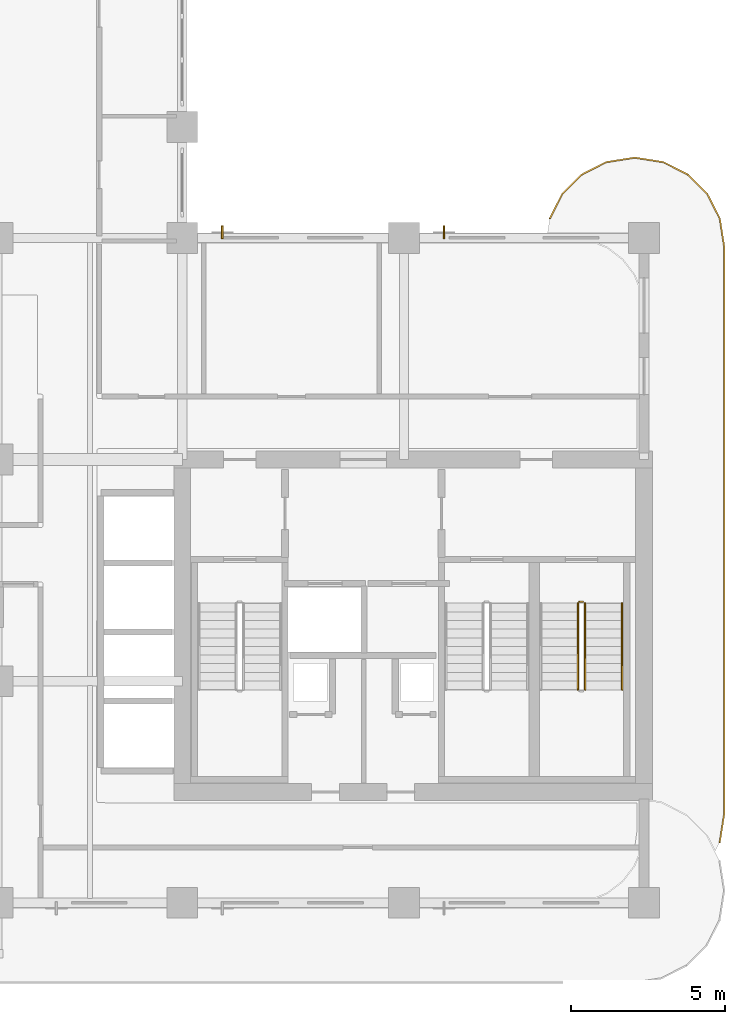
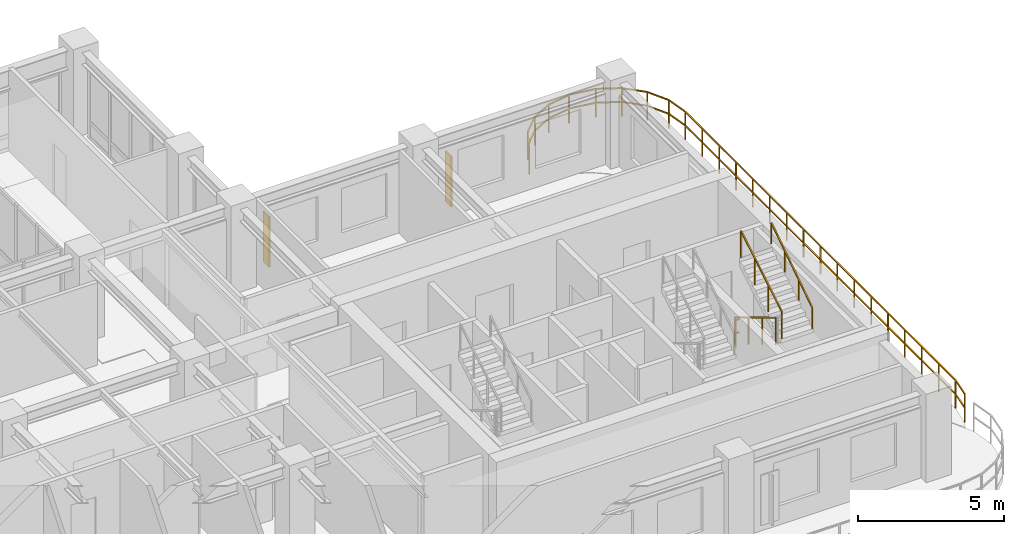
# One storey, part 18 of 20: 5 railings, 2 shading devices.
"""IFC4 building model written with IfcOpenShell, lengths in metres."""

from ifc_helpers import new_model, si_unit, derived_unit, direction, frame, origin, origin_2d, place, context, subcontext, project, spatial, rectangle, extrude, source, transform, mapped, material, layer, layer_set, type_object, type_shapes, element, save


model = new_model("IFC4")

# Units and contexts
model_context = context("Model", 3, precision=1e-05, world=origin(), true_north=direction((0.0, 1.0)))
body_context = subcontext(model_context, "Body", "Model", "MODEL_VIEW")
ifc_project = project(units=[si_unit("LENGTHUNIT", "METRE"), si_unit("AREAUNIT", "SQUARE_METRE"), si_unit("VOLUMEUNIT", "CUBIC_METRE"), si_unit("PLANEANGLEUNIT", "RADIAN"), si_unit("MASSUNIT", "GRAM", prefix="KILO"), si_unit("THERMODYNAMICTEMPERATUREUNIT", "KELVIN"), si_unit("POWERUNIT", "WATT"), derived_unit("THERMALTRANSMITTANCEUNIT", [(si_unit("POWERUNIT", "WATT"), 1), (si_unit("AREAUNIT", "SQUARE_METRE"), -1), (si_unit("THERMODYNAMICTEMPERATUREUNIT", "KELVIN"), -1)])], contexts=[model_context])

# Site, building, storey
site_placement = place(None, origin())
site = spatial("IfcSite", under=ifc_project, at=site_placement, CompositionType="ELEMENT")
building_placement = place(site_placement, origin())
building = spatial("IfcBuilding", under=site, at=building_placement, Name="Zahravan Archway Hotel and Residences", CompositionType="ELEMENT")
storey_placement = place(building_placement, frame((0.0, 0.0, 122.89990234375)))
storey = spatial("IfcBuildingStorey", under=building, at=storey_placement, Name="L30", CompositionType="ELEMENT", Elevation=122.89990234375)

# Railings
ifc_material_1 = material(Name="Bronze & Laminated Glass Balustrade", Category="glass")
railing_type_1 = type_object("IfcRailingType", Name="RL-BAL-1200", PredefinedType="BALUSTRADE", material=ifc_material_1)
railing_1_placement = place(storey_placement, frame((46.739501953125, 22.230712890625, 0.0)))
element("IfcRailing", 1, at=railing_1_placement, inside=storey, type_object=railing_type_1, Name="L30 Balustrade RL-SLB-BAL-L30-EA-1", PredefinedType="BALUSTRADE", context=body_context, shape_type="SweptSolid", body=[
    extrude(rectangle(XDim=0.048095703125, YDim=0.048095703125, at=origin_2d()), frame((0.0, 0.0, 1.17578125), z_axis=(0.453991409995, 0.891006060389, 0.0), x_axis=(-0.891006060389, 0.453991409995, 0.0)), (0.0, 0.0, 1.0), 0.8916015625),
    extrude(rectangle(XDim=0.048095703125, YDim=0.048095703125, at=origin_2d()), frame((0.0, 0.0, 0.60009765625), z_axis=(0.453991409995, 0.891006060389, 0.0), x_axis=(-0.891006060389, 0.453991409995, 0.0)), (0.0, 0.0, 1.0), 0.8916015625),
    extrude(rectangle(XDim=0.048095703125, YDim=0.048095703125, at=origin_2d()), frame((0.40478515625, 0.79443359375, 1.17578125), z_axis=(0.707106781187, 0.707106781187, 0.0), x_axis=(-0.707106781187, 0.707106781187, 0.0)), (0.0, 0.0, 1.0), 0.891845703125),
    extrude(rectangle(XDim=0.048095703125, YDim=0.048095703125, at=origin_2d()), frame((0.40478515625, 0.79443359375, 0.60009765625), z_axis=(0.707106781187, 0.707106781187, 0.0), x_axis=(-0.707106781187, 0.707106781187, 0.0)), (0.0, 0.0, 1.0), 0.891845703125),
    extrude(rectangle(XDim=0.048095703125, YDim=0.048095703125, at=origin_2d()), frame((1.035400390625, 1.425048828125, 1.17578125), z_axis=(0.891006060389, 0.453991409995, 0.0), x_axis=(-0.453991409995, 0.891006060389, 0.0)), (0.0, 0.0, 1.0), 0.8916015625),
    extrude(rectangle(XDim=0.048095703125, YDim=0.048095703125, at=origin_2d()), frame((1.035400390625, 1.425048828125, 0.60009765625), z_axis=(0.891006060389, 0.453991409995, 0.0), x_axis=(-0.453991409995, 0.891006060389, 0.0)), (0.0, 0.0, 1.0), 0.8916015625),
    extrude(rectangle(XDim=0.048095703125, YDim=0.048095703125, at=origin_2d()), frame((1.829833984375, 1.829833984375, 1.17578125), z_axis=(0.987700720307, 0.156356282588, 0.0), x_axis=(-0.156356282588, 0.987700720307, 0.0)), (0.0, 0.0, 1.0), 0.8916015625),
    extrude(rectangle(XDim=0.048095703125, YDim=0.048095703125, at=origin_2d()), frame((1.829833984375, 1.829833984375, 0.60009765625), z_axis=(0.987700720307, 0.156356282588, 0.0), x_axis=(-0.156356282588, 0.987700720307, 0.0)), (0.0, 0.0, 1.0), 0.8916015625),
    extrude(rectangle(XDim=0.048095703125, YDim=0.048095703125, at=origin_2d()), frame((2.71044921875, 1.96923828125, 1.17578125), z_axis=(1.0, 0.0, 0.0), x_axis=(0.0, 1.0, 0.0)), (0.0, 0.0, 1.0), 0.10009765625),
    extrude(rectangle(XDim=0.048095703125, YDim=0.048095703125, at=origin_2d()), frame((2.71044921875, 1.96923828125, 0.60009765625), z_axis=(1.0, 0.0, 0.0), x_axis=(0.0, 1.0, 0.0)), (0.0, 0.0, 1.0), 0.10009765625),
    extrude(rectangle(XDim=0.048095703125, YDim=0.048095703125, at=origin_2d()), frame((2.810546875, 1.96923828125, 1.17578125), z_axis=(0.987700720307, -0.156356282588, 0.0), x_axis=(0.156356282588, 0.987700720307, 0.0)), (0.0, 0.0, 1.0), 0.8916015625),
    extrude(rectangle(XDim=0.048095703125, YDim=0.048095703125, at=origin_2d()), frame((2.810546875, 1.96923828125, 0.60009765625), z_axis=(0.987700720307, -0.156356282588, 0.0), x_axis=(0.156356282588, 0.987700720307, 0.0)), (0.0, 0.0, 1.0), 0.8916015625),
    extrude(rectangle(XDim=0.048095703125, YDim=0.048095703125, at=origin_2d()), frame((3.691162109375, 1.829833984375, 1.17578125), z_axis=(0.891006060389, -0.453991409995, 0.0), x_axis=(0.453991409995, 0.891006060389, 0.0)), (0.0, 0.0, 1.0), 0.8916015625),
    extrude(rectangle(XDim=0.048095703125, YDim=0.048095703125, at=origin_2d()), frame((3.691162109375, 1.829833984375, 0.60009765625), z_axis=(0.891006060389, -0.453991409995, 0.0), x_axis=(0.453991409995, 0.891006060389, 0.0)), (0.0, 0.0, 1.0), 0.8916015625),
    extrude(rectangle(XDim=0.048095703125, YDim=0.048095703125, at=origin_2d()), frame((4.485595703125, 1.425048828125, 1.17578125), z_axis=(0.707106781187, -0.707106781187, 0.0), x_axis=(0.707106781187, 0.707106781187, 0.0)), (0.0, 0.0, 1.0), 0.891845703125),
    extrude(rectangle(XDim=0.048095703125, YDim=0.048095703125, at=origin_2d()), frame((4.485595703125, 1.425048828125, 0.60009765625), z_axis=(0.707106781187, -0.707106781187, 0.0), x_axis=(0.707106781187, 0.707106781187, 0.0)), (0.0, 0.0, 1.0), 0.891845703125),
    extrude(rectangle(XDim=0.048095703125, YDim=0.048095703125, at=origin_2d()), frame((5.1162109375, 0.79443359375, 1.17578125), z_axis=(0.453991409995, -0.891006060389, 0.0), x_axis=(0.891006060389, 0.453991409995, 0.0)), (0.0, 0.0, 1.0), 0.8916015625),
    extrude(rectangle(XDim=0.048095703125, YDim=0.048095703125, at=origin_2d()), frame((5.1162109375, 0.79443359375, 0.60009765625), z_axis=(0.453991409995, -0.891006060389, 0.0), x_axis=(0.891006060389, 0.453991409995, 0.0)), (0.0, 0.0, 1.0), 0.8916015625),
    extrude(rectangle(XDim=0.048095703125, YDim=0.048095703125, at=origin_2d()), frame((5.52099609375, 0.0, 1.17578125), z_axis=(0.156356282588, -0.987700720307, 0.0), x_axis=(0.987700720307, 0.156356282588, 0.0)), (0.0, 0.0, 1.0), 0.8916015625),
    extrude(rectangle(XDim=0.048095703125, YDim=0.048095703125, at=origin_2d()), frame((5.52099609375, 0.0, 0.60009765625), z_axis=(0.156356282588, -0.987700720307, 0.0), x_axis=(0.987700720307, 0.156356282588, 0.0)), (0.0, 0.0, 1.0), 0.8916015625),
    extrude(rectangle(XDim=0.048095703125, YDim=0.048095703125, at=origin_2d()), frame((5.660400390625, -0.880615234375, 1.17578125), z_axis=(0.0, -1.0, 0.0), x_axis=(1.0, 0.0, 0.0)), (0.0, 0.0, 1.0), 18.5),
    extrude(rectangle(XDim=0.048095703125, YDim=0.048095703125, at=origin_2d()), frame((5.660400390625, -0.880615234375, 0.60009765625), z_axis=(0.0, -1.0, 0.0), x_axis=(1.0, 0.0, 0.0)), (0.0, 0.0, 1.0), 18.5),
    extrude(rectangle(XDim=0.048095703125, YDim=0.048095703125, at=origin_2d()), frame((5.660400390625, -19.380615234375, 1.17578125), z_axis=(-0.156314005608, -0.987707411965, 0.0), x_axis=(0.987707411965, -0.156314005608, 0.0)), (0.0, 0.0, 1.0), 0.891845703125),
    extrude(rectangle(XDim=0.048095703125, YDim=0.048095703125, at=origin_2d()), frame((5.660400390625, -19.380615234375, 0.60009765625), z_axis=(-0.156314005608, -0.987707411965, 0.0), x_axis=(0.987707411965, -0.156314005608, 0.0)), (0.0, 0.0, 1.0), 0.891845703125),
    extrude(rectangle(XDim=0.0419921875, YDim=0.0419921875, at=origin_2d()), origin(), (0.0, 0.0, 1.0), 1.15185546875),
    extrude(rectangle(XDim=0.0419921875, YDim=0.0419921875, at=origin_2d()), frame((0.40478515625, 0.79443359375, 0.0)), (0.0, 0.0, 1.0), 1.15185546875),
    extrude(rectangle(XDim=0.0419921875, YDim=0.0419921875, at=origin_2d()), frame((1.035400390625, 1.425048828125, 0.0)), (0.0, 0.0, 1.0), 1.15185546875),
    extrude(rectangle(XDim=0.0419921875, YDim=0.0419921875, at=origin_2d()), frame((1.829833984375, 1.829833984375, 0.0)), (0.0, 0.0, 1.0), 1.15185546875),
    extrude(rectangle(XDim=0.0419921875, YDim=0.0419921875, at=origin_2d()), frame((2.71044921875, 1.96923828125, 0.0)), (0.0, 0.0, 1.0), 1.15185546875),
    extrude(rectangle(XDim=0.0419921875, YDim=0.0419921875, at=origin_2d()), frame((3.691162109375, 1.829833984375, 0.0)), (0.0, 0.0, 1.0), 1.15185546875),
    extrude(rectangle(XDim=0.0419921875, YDim=0.0419921875, at=origin_2d()), frame((4.485595703125, 1.425048828125, 0.0)), (0.0, 0.0, 1.0), 1.15185546875),
    extrude(rectangle(XDim=0.0419921875, YDim=0.0419921875, at=origin_2d()), frame((5.1162109375, 0.79443359375, 0.0)), (0.0, 0.0, 1.0), 1.15185546875),
    extrude(rectangle(XDim=0.0419921875, YDim=0.0419921875, at=origin_2d()), frame((5.52099609375, 0.0, 0.0)), (0.0, 0.0, 1.0), 1.15185546875),
    extrude(rectangle(XDim=0.0419921875, YDim=0.0419921875, at=origin_2d()), frame((5.660400390625, -0.880615234375, 0.0)), (0.0, 0.0, 1.0), 1.15185546875),
    extrude(rectangle(XDim=0.0419921875, YDim=0.0419921875, at=origin_2d()), frame((5.660400390625, -2.036865234375, 0.0)), (0.0, 0.0, 1.0), 1.15185546875),
    extrude(rectangle(XDim=0.0419921875, YDim=0.0419921875, at=origin_2d()), frame((5.660400390625, -3.193115234375, 0.0)), (0.0, 0.0, 1.0), 1.15185546875),
    extrude(rectangle(XDim=0.0419921875, YDim=0.0419921875, at=origin_2d()), frame((5.660400390625, -4.349365234375, 0.0)), (0.0, 0.0, 1.0), 1.15185546875),
    extrude(rectangle(XDim=0.0419921875, YDim=0.0419921875, at=origin_2d()), frame((5.660400390625, -5.505615234375, 0.0)), (0.0, 0.0, 1.0), 1.15185546875),
    extrude(rectangle(XDim=0.0419921875, YDim=0.0419921875, at=origin_2d()), frame((5.660400390625, -6.661865234375, 0.0)), (0.0, 0.0, 1.0), 1.15185546875),
    extrude(rectangle(XDim=0.0419921875, YDim=0.0419921875, at=origin_2d()), frame((5.660400390625, -7.818115234375, 0.0)), (0.0, 0.0, 1.0), 1.15185546875),
    extrude(rectangle(XDim=0.0419921875, YDim=0.0419921875, at=origin_2d()), frame((5.660400390625, -8.974365234375, 0.0)), (0.0, 0.0, 1.0), 1.15185546875),
    extrude(rectangle(XDim=0.0419921875, YDim=0.0419921875, at=origin_2d()), frame((5.660400390625, -10.130615234375, 0.0)), (0.0, 0.0, 1.0), 1.15185546875),
    extrude(rectangle(XDim=0.0419921875, YDim=0.0419921875, at=origin_2d()), frame((5.660400390625, -11.286865234375, 0.0)), (0.0, 0.0, 1.0), 1.15185546875),
    extrude(rectangle(XDim=0.0419921875, YDim=0.0419921875, at=origin_2d()), frame((5.660400390625, -12.443115234375, 0.0)), (0.0, 0.0, 1.0), 1.15185546875),
    extrude(rectangle(XDim=0.0419921875, YDim=0.0419921875, at=origin_2d()), frame((5.660400390625, -13.599365234375, 0.0)), (0.0, 0.0, 1.0), 1.15185546875),
    extrude(rectangle(XDim=0.0419921875, YDim=0.0419921875, at=origin_2d()), frame((5.660400390625, -14.755615234375, 0.0)), (0.0, 0.0, 1.0), 1.15185546875),
    extrude(rectangle(XDim=0.0419921875, YDim=0.0419921875, at=origin_2d()), frame((5.660400390625, -15.911865234375, 0.0)), (0.0, 0.0, 1.0), 1.15185546875),
    extrude(rectangle(XDim=0.0419921875, YDim=0.0419921875, at=origin_2d()), frame((5.660400390625, -17.068115234375, 0.0)), (0.0, 0.0, 1.0), 1.15185546875),
    extrude(rectangle(XDim=0.0419921875, YDim=0.0419921875, at=origin_2d()), frame((5.660400390625, -18.224365234375, 0.0)), (0.0, 0.0, 1.0), 1.15185546875),
    extrude(rectangle(XDim=0.0419921875, YDim=0.0419921875, at=origin_2d()), frame((5.660400390625, -19.380615234375, 0.0)), (0.0, 0.0, 1.0), 1.15185546875),
    extrude(rectangle(XDim=0.0419921875, YDim=0.0419921875, at=origin_2d()), frame((5.52099609375, -20.261474609375, 0.0)), (0.0, 0.0, 1.0), 1.15185546875),
])
ifc_material_2 = material(Name="Painted Tubular Steel", Category="steel")
railing_type_2 = type_object("IfcRailingType", Name="RL-STG-1150", PredefinedType="GUARDRAIL", material=ifc_material_2)
railing_2_placement = place(storey_placement, frame((47.64990234375, 9.72998046875, 0.168212890625)))
element("IfcRailing", 2, at=railing_2_placement, inside=storey, type_object=railing_type_2, Name="L30 ST-A3 stair guard 1", PredefinedType="GUARDRAIL", context=body_context, shape_type="SweptSolid", body=[
    extrude(rectangle(XDim=0.048095703125, YDim=0.048095703125, at=origin_2d()), frame((0.0, 0.0, 1.1259765625), z_axis=(0.0, -0.857242210791, 0.514913383045), x_axis=(1.0, 0.0, 0.0)), (0.0, 0.0, 1.0), 3.266357421875),
    extrude(rectangle(XDim=0.0419921875, YDim=0.0419921875, at=origin_2d()), origin(), (0.0, 0.0, 1.0), 1.101806640625),
    extrude(rectangle(XDim=0.0419921875, YDim=0.0419921875, at=origin_2d()), frame((0.0, -0.933349609375, 0.560546875)), (0.0, 0.0, 1.0), 1.101806640625),
    extrude(rectangle(XDim=0.0419921875, YDim=0.0419921875, at=origin_2d()), frame((0.0, -1.86669921875, 1.121337890625)), (0.0, 0.0, 1.0), 1.101806640625),
    extrude(rectangle(XDim=0.0419921875, YDim=0.0419921875, at=origin_2d()), frame((0.0, -2.800048828125, 1.681884765625)), (0.0, 0.0, 1.0), 1.101806640625),
])
railing_3_placement = place(storey_placement, frame((47.889892578125, 6.929931640625, 2.018310546875)))
element("IfcRailing", 3, at=railing_3_placement, inside=storey, type_object=railing_type_2, Name="L30 ST-A3 stair guard 3", PredefinedType="GUARDRAIL", context=body_context, shape_type="SweptSolid", body=[
    extrude(rectangle(XDim=0.048095703125, YDim=0.048095703125, at=origin_2d()), frame((0.0, 0.0, 1.1259765625), z_axis=(0.0, 0.857242210791, 0.514913383045), x_axis=(-1.0, 0.0, 0.0)), (0.0, 0.0, 1.0), 3.266357421875),
    extrude(rectangle(XDim=0.0419921875, YDim=0.0419921875, at=origin_2d()), origin(), (0.0, 0.0, 1.0), 1.101806640625),
    extrude(rectangle(XDim=0.0419921875, YDim=0.0419921875, at=origin_2d()), frame((0.0, 0.933349609375, 0.560546875)), (0.0, 0.0, 1.0), 1.101806640625),
    extrude(rectangle(XDim=0.0419921875, YDim=0.0419921875, at=origin_2d()), frame((0.0, 1.86669921875, 1.121337890625)), (0.0, 0.0, 1.0), 1.101806640625),
    extrude(rectangle(XDim=0.0419921875, YDim=0.0419921875, at=origin_2d()), frame((0.0, 2.800048828125, 1.681884765625)), (0.0, 0.0, 1.0), 1.101806640625),
])
railing_4_placement = place(storey_placement, frame((47.699951171875, 9.780029296875, 0.0)))
element("IfcRailing", 4, at=railing_4_placement, inside=storey, type_object=railing_type_2, Name="L30 ST-A3 stair guard 4", PredefinedType="GUARDRAIL", context=body_context, shape_type="SweptSolid", body=[
    extrude(rectangle(XDim=0.048095703125, YDim=0.048095703125, at=origin_2d()), frame((0.0, 0.0, 1.1259765625), z_axis=(1.0, 0.0, 0.0), x_axis=(0.0, 1.0, 0.0)), (0.0, 0.0, 1.0), 0.14013671875),
    extrude(rectangle(XDim=0.048095703125, YDim=0.048095703125, at=origin_2d()), frame((0.0, 0.0, 0.574951171875), z_axis=(1.0, 0.0, 0.0), x_axis=(0.0, 1.0, 0.0)), (0.0, 0.0, 1.0), 0.14013671875),
    extrude(rectangle(XDim=0.0419921875, YDim=0.0419921875, at=origin_2d()), origin(), (0.0, 0.0, 1.0), 1.101806640625),
])
ifc_material_3 = material(Name="Brushed Stainless Steel", Category="steel")
railing_type_3 = type_object("IfcRailingType", Name="RL-STH-900", PredefinedType="HANDRAIL", material=ifc_material_3)
railing_5_placement = place(storey_placement, frame((49.090087890625, 6.929931640625, 2.018310546875)))
element("IfcRailing", 5, at=railing_5_placement, inside=storey, type_object=railing_type_3, Name="L30 ST-A3 stair handrail 2", PredefinedType="HANDRAIL", context=body_context, shape_type="SweptSolid", body=[
    extrude(rectangle(XDim=0.048095703125, YDim=0.048095703125, at=origin_2d()), frame((0.0, 0.0, 0.8759765625), z_axis=(0.0, 0.83435981716, 0.551220187865), x_axis=(-1.0, 0.0, 0.0)), (0.0, 0.0, 1.0), 3.35595703125),
    extrude(rectangle(XDim=0.0419921875, YDim=0.0419921875, at=origin_2d()), origin(), (0.0, 0.0, 1.0), 0.851806640625),
    extrude(rectangle(XDim=0.0419921875, YDim=0.0419921875, at=origin_2d()), frame((0.0, 0.933349609375, 0.61669921875)), (0.0, 0.0, 1.0), 0.851806640625),
    extrude(rectangle(XDim=0.0419921875, YDim=0.0419921875, at=origin_2d()), frame((0.0, 1.86669921875, 1.233154296875)), (0.0, 0.0, 1.0), 0.851806640625),
    extrude(rectangle(XDim=0.0419921875, YDim=0.0419921875, at=origin_2d()), frame((0.0, 2.800048828125, 1.849853515625)), (0.0, 0.0, 1.0), 0.851806640625),
])

# Shading devices
ifc_material_4 = material(Name="Terracotta & Bronze Solar Brise-Soleil", Category="masonry")
ifc_layer = layer(ifc_material_4, 0.06005859375, Name="Terracotta & Bronze Solar Brise-Soleil", Category="masonry")
ifc_layer_set = layer_set([ifc_layer], Name="Terracotta & Bronze Solar Brise-Soleil")
shading_device_type = type_object("IfcShadingDeviceType", Name="SHD-MASH-FIN", PredefinedType="JALOUSIE", material=ifc_layer_set)
shared_shape = source(origin(), body_context, "Body", "SweptSolid", [
    extrude(rectangle(XDim=0.06005859375, YDim=0.419921875, at=origin_2d()), origin(), (0.0, 0.0, 1.0), 2.10009765625),
])
type_shapes(shading_device_type, [shared_shape])
for number, where, z_axis, x_axis, name in (
    (6, (36.10009765625, 21.778076171875, 0.25), (0.0, 0.0, 1.0), (1.0, 0.0, 0.0), "L30 Solar Mashrabiya Fin 04"),
    (7, (43.300048828125, 21.778076171875, 0.25), (0.0, 0.0, 1.0), (1.0, 0.0, 0.0), "L30 Solar Mashrabiya Fin 05"),
):
    element("IfcShadingDevice", number, at=place(storey_placement, frame(where, z_axis=z_axis, x_axis=x_axis)), inside=storey, type_object=shading_device_type, Name=name, PredefinedType="JALOUSIE", context=body_context, shape_type="MappedRepresentation", body=[
        mapped(shared_shape, transform((0.0, 0.0, 0.0), scale=1.0)),
    ])

save(model, "model.ifc")
